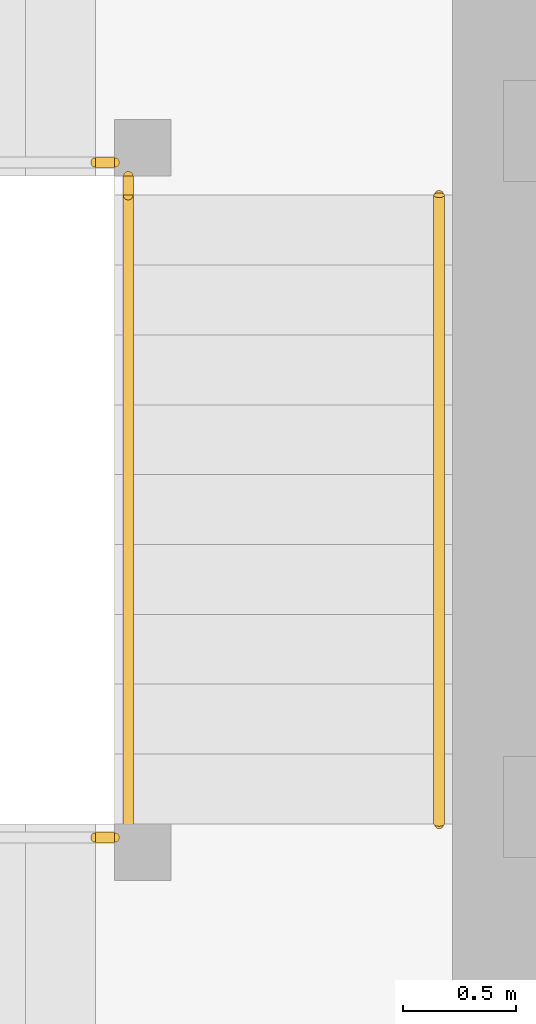
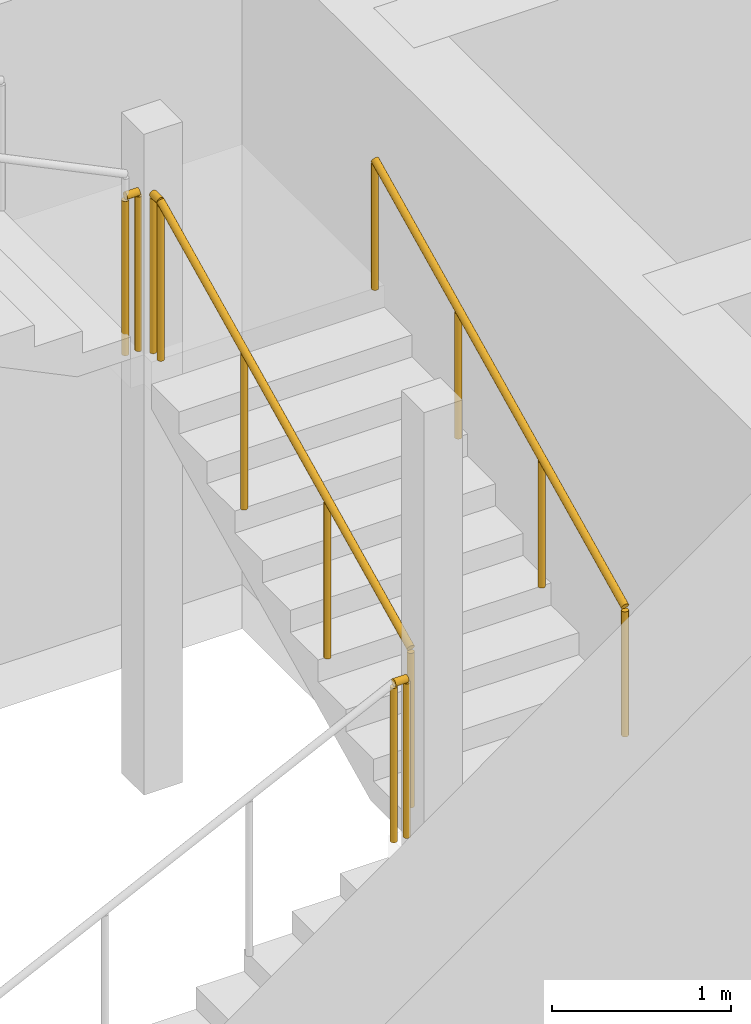
# One storey, part 22 of 39: 5 railings.
"""IFC4 building model written with IfcOpenShell, lengths in metres."""

from ifc_helpers import new_model, si_unit, direction, frame, origin, origin_2d, place, context, subcontext, project, spatial, circle, extrude, material, type_object, element, save


model = new_model("IFC4")

# Units and contexts
model_context = context("Model", 3, precision=1e-05, world=origin(), true_north=direction((0.0, 1.0)))
body_context = subcontext(model_context, "Body", "Model", "MODEL_VIEW")
ifc_project = project(units=[si_unit("LENGTHUNIT", "METRE"), si_unit("AREAUNIT", "SQUARE_METRE"), si_unit("VOLUMEUNIT", "CUBIC_METRE"), si_unit("PLANEANGLEUNIT", "RADIAN"), si_unit("MASSUNIT", "GRAM", prefix="KILO")], contexts=[model_context])

# Site, building, storey
site_placement = place(None, origin())
site = spatial("IfcSite", under=ifc_project, at=site_placement, CompositionType="ELEMENT")
building_placement = place(site_placement, origin())
building = spatial("IfcBuilding", under=site, at=building_placement, Name="Rekha Terrace Tower", CompositionType="ELEMENT")
storey_placement = place(building_placement, frame((0.0, 0.0, 168.199951171875)))
storey = spatial("IfcBuildingStorey", under=building, at=storey_placement, Name="L42", CompositionType="ELEMENT", Elevation=168.199951171875)

# Railings
ifc_material_1 = material(Name="Stainless steel balustrade", Category="steel")
railing_type_1 = type_object("IfcRailingType", Name="GR1 1100 stair guard", PredefinedType="GUARDRAIL", material=ifc_material_1)
railing_1_placement = place(storey_placement, frame((30.135009765625, 41.324951171875, 1.650146484375)))
element("IfcRailing", 1, at=railing_1_placement, inside=storey, type_object=railing_type_1, Name="Guard ST4 L42 flight 2", PredefinedType="GUARDRAIL", context=body_context, shape_type="SweptSolid", body=[
    extrude(circle(Radius=0.02392578125, at=origin_2d()), frame((0.0, 0.0, 1.076171875), z_axis=(0.0, 0.900180171504, 0.435517690606), x_axis=(-1.0, 0.0, 0.0)), (0.0, 0.0, 1.0), 3.099365234375),
    extrude(circle(Radius=0.02099609375, at=origin_2d()), origin(), (0.0, 0.0, 1.0), 1.052001953125),
    extrude(circle(Radius=0.02099609375, at=origin_2d()), frame((0.0, 0.929931640625, 0.449951171875)), (0.0, 0.0, 1.0), 1.052001953125),
    extrude(circle(Radius=0.02099609375, at=origin_2d()), frame((0.0, 1.860107421875, 0.89990234375)), (0.0, 0.0, 1.0), 1.052001953125),
    extrude(circle(Radius=0.02099609375, at=origin_2d()), frame((0.0, 2.7900390625, 1.349853515625)), (0.0, 0.0, 1.0), 1.052001953125),
])
railing_2_placement = place(storey_placement, frame((29.989990234375, 41.264892578125, 1.5)))
element("IfcRailing", 2, at=railing_2_placement, inside=storey, type_object=railing_type_1, Name="Guard ST4 L42 landing 1", PredefinedType="GUARDRAIL", context=body_context, shape_type="SweptSolid", body=[
    extrude(circle(Radius=0.02392578125, at=origin_2d()), frame((0.0, 0.0, 1.076171875), z_axis=(1.0, 0.0, 0.0), x_axis=(0.0, 1.0, 0.0)), (0.0, 0.0, 1.0), 0.0849609375),
    extrude(circle(Radius=0.02099609375, at=origin_2d()), origin(), (0.0, 0.0, 1.0), 1.052001953125),
    extrude(circle(Radius=0.02099609375, at=origin_2d()), frame((0.0849609375, 0.0, 0.0)), (0.0, 0.0, 1.0), 1.052001953125),
])
railing_3_placement = place(storey_placement, frame((30.135009765625, 44.114990234375, 3.0)))
element("IfcRailing", 3, at=railing_3_placement, inside=storey, type_object=railing_type_1, Name="Guard ST4 L42 landing 2", PredefinedType="GUARDRAIL", context=body_context, shape_type="SweptSolid", body=[
    extrude(circle(Radius=0.02392578125, at=origin_2d()), frame((0.0, 0.0, 1.076171875), z_axis=(0.0, 1.0, 0.0), x_axis=(-1.0, 0.0, 0.0)), (0.0, 0.0, 1.0), 0.0849609375),
    extrude(circle(Radius=0.02099609375, at=origin_2d()), origin(), (0.0, 0.0, 1.0), 1.052001953125),
    extrude(circle(Radius=0.02099609375, at=origin_2d()), frame((0.0, 0.0849609375, 0.0)), (0.0, 0.0, 1.0), 1.052001953125),
])
railing_4_placement = place(storey_placement, frame((29.989990234375, 44.260009765625, 3.0)))
element("IfcRailing", 4, at=railing_4_placement, inside=storey, type_object=railing_type_1, Name="Guard ST4 L42 landing 3", PredefinedType="GUARDRAIL", context=body_context, shape_type="SweptSolid", body=[
    extrude(circle(Radius=0.02392578125, at=origin_2d()), frame((0.0, 0.0, 1.076171875), z_axis=(1.0, 0.0, 0.0), x_axis=(0.0, 1.0, 0.0)), (0.0, 0.0, 1.0), 0.0849609375),
    extrude(circle(Radius=0.02099609375, at=origin_2d()), origin(), (0.0, 0.0, 1.0), 1.052001953125),
    extrude(circle(Radius=0.02099609375, at=origin_2d()), frame((0.0849609375, 0.0, 0.0)), (0.0, 0.0, 1.0), 1.052001953125),
])
ifc_material_2 = material(Name="Stainless steel tube", Category="steel")
railing_type_2 = type_object("IfcRailingType", Name="HR1 900 stair handrail", PredefinedType="HANDRAIL", material=ifc_material_2)
railing_5_placement = place(storey_placement, frame((31.514892578125, 41.324951171875, 1.650146484375)))
element("IfcRailing", 5, at=railing_5_placement, inside=storey, type_object=railing_type_2, Name="Handrail ST4 L42 flight 2", PredefinedType="HANDRAIL", context=body_context, shape_type="SweptSolid", body=[
    extrude(circle(Radius=0.02392578125, at=origin_2d()), frame((0.0, 0.0, 0.8759765625), z_axis=(0.0, 0.900180171504, 0.435517690606), x_axis=(-1.0, 0.0, 0.0)), (0.0, 0.0, 1.0), 3.099365234375),
    extrude(circle(Radius=0.02099609375, at=origin_2d()), origin(), (0.0, 0.0, 1.0), 0.851806640625),
    extrude(circle(Radius=0.02099609375, at=origin_2d()), frame((0.0, 0.929931640625, 0.449951171875)), (0.0, 0.0, 1.0), 0.851806640625),
    extrude(circle(Radius=0.02099609375, at=origin_2d()), frame((0.0, 1.860107421875, 0.89990234375)), (0.0, 0.0, 1.0), 0.851806640625),
    extrude(circle(Radius=0.02099609375, at=origin_2d()), frame((0.0, 2.7900390625, 1.349853515625)), (0.0, 0.0, 1.0), 0.851806640625),
])

save(model, "model.ifc")
